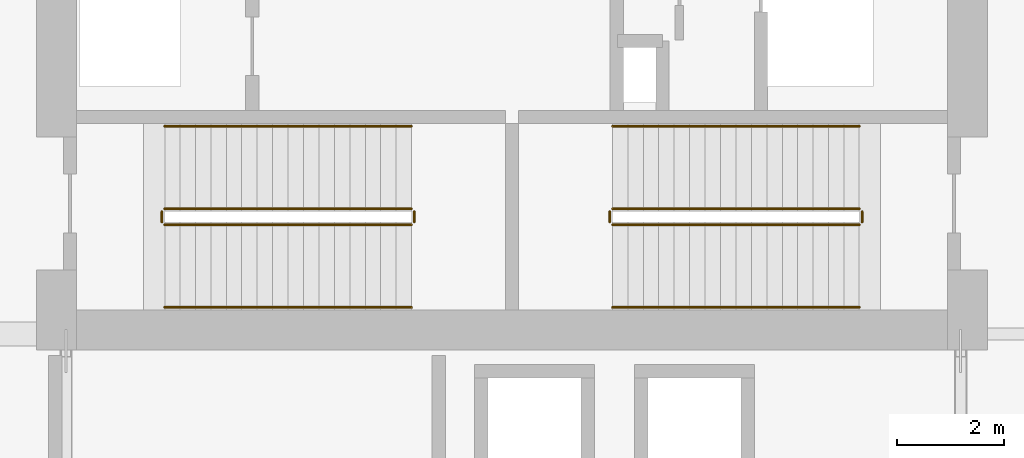
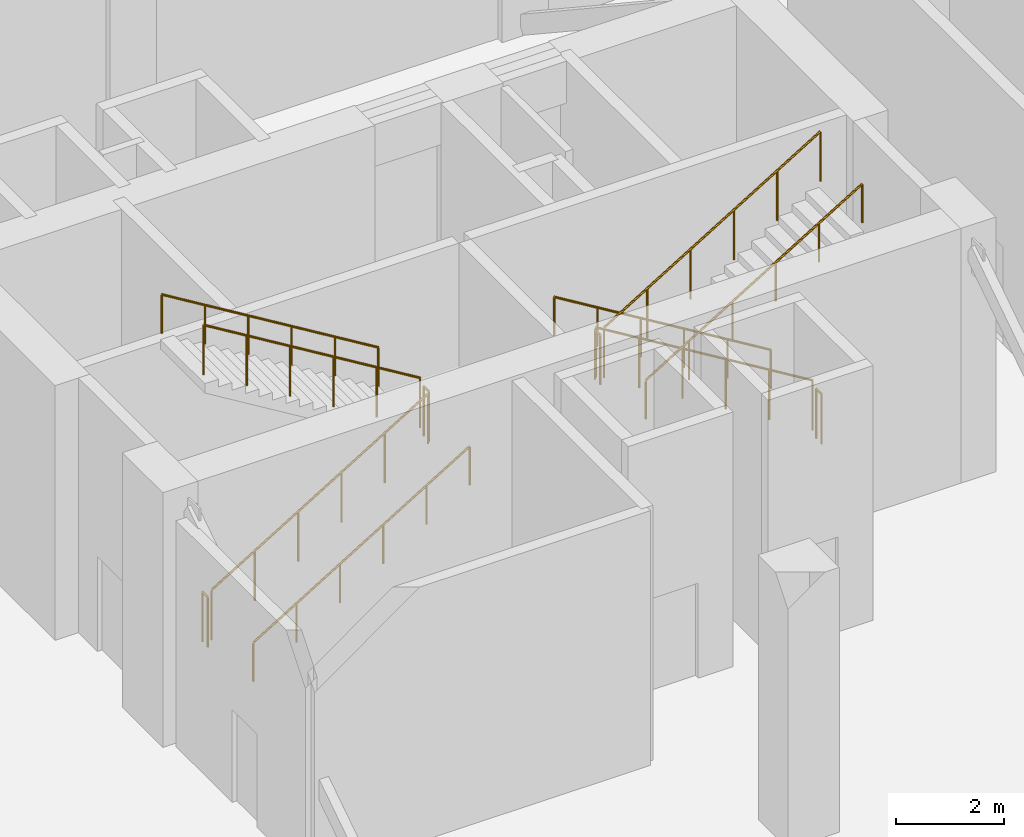
# One storey, part 15 of 16: 12 railings.
"""IFC4 building model written with IfcOpenShell, lengths in metres."""

from ifc_helpers import new_model, si_unit, direction, frame, origin, origin_2d, place, context, subcontext, project, spatial, circle, extrude, material, type_object, element, save


model = new_model("IFC4")

# Units and contexts
model_context = context("Model", 3, precision=1e-05, world=origin(), true_north=direction((0.0, 1.0)))
body_context = subcontext(model_context, "Body", "Model", "MODEL_VIEW")
ifc_project = project(units=[si_unit("LENGTHUNIT", "METRE"), si_unit("AREAUNIT", "SQUARE_METRE"), si_unit("VOLUMEUNIT", "CUBIC_METRE"), si_unit("PLANEANGLEUNIT", "RADIAN"), si_unit("MASSUNIT", "GRAM", prefix="KILO")], contexts=[model_context])

# Site, building, storey
site_placement = place(None, origin())
site = spatial("IfcSite", under=ifc_project, at=site_placement, CompositionType="ELEMENT")
building_placement = place(site_placement, origin())
building = spatial("IfcBuilding", under=site, at=building_placement, Name="Koriwani Terraces Tower", CompositionType="ELEMENT")
storey_placement = place(building_placement, frame((0.0, 0.0, 162.0)))
storey = spatial("IfcBuildingStorey", under=building, at=storey_placement, Name="L39", CompositionType="ELEMENT", Elevation=162.0)

# Railings
ifc_material = material(Name="Steel ASTM A572 Grade 50", Category="steel")
railing_type_1 = type_object("IfcRailingType", Name="GUARD_STAIR_WELL_1120", PredefinedType="GUARDRAIL", material=ifc_material)
railing_1_placement = place(storey_placement, frame((43.85009765625, 18.85009765625, 0.176513671875)))
element("IfcRailing", 1, at=railing_1_placement, inside=storey, type_object=railing_type_1, Name="L39 ST-E1 stair guard 1", PredefinedType="GUARDRAIL", context=body_context, shape_type="SweptSolid", body=[
    extrude(circle(Radius=0.02392578125, at=origin_2d()), frame((0.0, 0.0, 1.1259765625), z_axis=(0.854263648073, 0.0, 0.51983999421), x_axis=(0.0, 1.0, 0.0)), (0.0, 0.0, 1.0), 5.431396484375),
    extrude(circle(Radius=0.02099609375, at=origin_2d()), origin(), (0.0, 0.0, 1.0), 1.101806640625),
    extrude(circle(Radius=0.02099609375, at=origin_2d()), frame((0.927978515625, 0.0, 0.564697265625)), (0.0, 0.0, 1.0), 1.101806640625),
    extrude(circle(Radius=0.02099609375, at=origin_2d()), frame((1.85595703125, 0.0, 1.12939453125)), (0.0, 0.0, 1.0), 1.101806640625),
    extrude(circle(Radius=0.02099609375, at=origin_2d()), frame((2.783935546875, 0.0, 1.694091796875)), (0.0, 0.0, 1.0), 1.101806640625),
    extrude(circle(Radius=0.02099609375, at=origin_2d()), frame((3.7119140625, 0.0, 2.2587890625)), (0.0, 0.0, 1.0), 1.101806640625),
    extrude(circle(Radius=0.02099609375, at=origin_2d()), frame((4.639892578125, 0.0, 2.823486328125)), (0.0, 0.0, 1.0), 1.101806640625),
])
railing_2_placement = place(storey_placement, frame((48.5400390625, 18.89990234375, 3.0)))
element("IfcRailing", 2, at=railing_2_placement, inside=storey, type_object=railing_type_1, Name="L39 ST-E1 stair guard 2", PredefinedType="GUARDRAIL", context=body_context, shape_type="SweptSolid", body=[
    extrude(circle(Radius=0.02392578125, at=origin_2d()), frame((0.0, 0.0, 1.1259765625), z_axis=(0.0, 1.0, 0.0), x_axis=(-1.0, 0.0, 0.0)), (0.0, 0.0, 1.0), 0.2001953125),
    extrude(circle(Radius=0.02099609375, at=origin_2d()), origin(), (0.0, 0.0, 1.0), 1.101806640625),
    extrude(circle(Radius=0.02099609375, at=origin_2d()), frame((0.0, 0.2001953125, 0.0)), (0.0, 0.0, 1.0), 1.101806640625),
])
railing_3_placement = place(storey_placement, frame((48.489990234375, 19.14990234375, 3.176513671875)))
element("IfcRailing", 3, at=railing_3_placement, inside=storey, type_object=railing_type_1, Name="L39 ST-E1 stair guard 3", PredefinedType="GUARDRAIL", context=body_context, shape_type="SweptSolid", body=[
    extrude(circle(Radius=0.02392578125, at=origin_2d()), frame((0.0, 0.0, 1.1259765625), z_axis=(-0.854263648073, 0.0, 0.51983999421), x_axis=(0.0, -1.0, 0.0)), (0.0, 0.0, 1.0), 5.431396484375),
    extrude(circle(Radius=0.02099609375, at=origin_2d()), origin(), (0.0, 0.0, 1.0), 1.101806640625),
    extrude(circle(Radius=0.02099609375, at=origin_2d()), frame((-0.927978515625, 0.0, 0.564697265625)), (0.0, 0.0, 1.0), 1.101806640625),
    extrude(circle(Radius=0.02099609375, at=origin_2d()), frame((-1.85595703125, 0.0, 1.12939453125)), (0.0, 0.0, 1.0), 1.101806640625),
    extrude(circle(Radius=0.02099609375, at=origin_2d()), frame((-2.783935546875, 0.0, 1.694091796875)), (0.0, 0.0, 1.0), 1.101806640625),
    extrude(circle(Radius=0.02099609375, at=origin_2d()), frame((-3.7119140625, 0.0, 2.2587890625)), (0.0, 0.0, 1.0), 1.101806640625),
    extrude(circle(Radius=0.02099609375, at=origin_2d()), frame((-4.639892578125, 0.0, 2.823486328125)), (0.0, 0.0, 1.0), 1.101806640625),
])
railing_4_placement = place(storey_placement, frame((43.800048828125, 18.89990234375, 0.0)))
element("IfcRailing", 4, at=railing_4_placement, inside=storey, type_object=railing_type_1, Name="L39 ST-E1 stair guard 4", PredefinedType="GUARDRAIL", context=body_context, shape_type="SweptSolid", body=[
    extrude(circle(Radius=0.02392578125, at=origin_2d()), frame((0.0, 0.0, 1.1259765625), z_axis=(0.0, 1.0, 0.0), x_axis=(-1.0, 0.0, 0.0)), (0.0, 0.0, 1.0), 0.2001953125),
    extrude(circle(Radius=0.02099609375, at=origin_2d()), origin(), (0.0, 0.0, 1.0), 1.101806640625),
    extrude(circle(Radius=0.02099609375, at=origin_2d()), frame((0.0, 0.2001953125, 0.0)), (0.0, 0.0, 1.0), 1.101806640625),
])
railing_5_placement = place(storey_placement, frame((56.89990234375, 19.14990234375, 0.176513671875)))
element("IfcRailing", 5, at=railing_5_placement, inside=storey, type_object=railing_type_1, Name="L39 ST-E2 stair guard 1", PredefinedType="GUARDRAIL", context=body_context, shape_type="SweptSolid", body=[
    extrude(circle(Radius=0.02392578125, at=origin_2d()), frame((0.0, 0.0, 1.1259765625), z_axis=(-0.854263648073, 0.0, 0.51983999421), x_axis=(0.0, -1.0, 0.0)), (0.0, 0.0, 1.0), 5.431396484375),
    extrude(circle(Radius=0.02099609375, at=origin_2d()), origin(), (0.0, 0.0, 1.0), 1.101806640625),
    extrude(circle(Radius=0.02099609375, at=origin_2d()), frame((-0.927978515625, 0.0, 0.564697265625)), (0.0, 0.0, 1.0), 1.101806640625),
    extrude(circle(Radius=0.02099609375, at=origin_2d()), frame((-1.85595703125, 0.0, 1.12939453125)), (0.0, 0.0, 1.0), 1.101806640625),
    extrude(circle(Radius=0.02099609375, at=origin_2d()), frame((-2.783935546875, 0.0, 1.694091796875)), (0.0, 0.0, 1.0), 1.101806640625),
    extrude(circle(Radius=0.02099609375, at=origin_2d()), frame((-3.7119140625, 0.0, 2.2587890625)), (0.0, 0.0, 1.0), 1.101806640625),
    extrude(circle(Radius=0.02099609375, at=origin_2d()), frame((-4.639892578125, 0.0, 2.823486328125)), (0.0, 0.0, 1.0), 1.101806640625),
])
railing_6_placement = place(storey_placement, frame((52.2099609375, 19.10009765625, 3.0)))
element("IfcRailing", 6, at=railing_6_placement, inside=storey, type_object=railing_type_1, Name="L39 ST-E2 stair guard 2", PredefinedType="GUARDRAIL", context=body_context, shape_type="SweptSolid", body=[
    extrude(circle(Radius=0.02392578125, at=origin_2d()), frame((0.0, 0.0, 1.1259765625), z_axis=(0.0, -1.0, 0.0), x_axis=(1.0, 0.0, 0.0)), (0.0, 0.0, 1.0), 0.2001953125),
    extrude(circle(Radius=0.02099609375, at=origin_2d()), origin(), (0.0, 0.0, 1.0), 1.101806640625),
    extrude(circle(Radius=0.02099609375, at=origin_2d()), frame((0.0, -0.2001953125, 0.0)), (0.0, 0.0, 1.0), 1.101806640625),
])
railing_7_placement = place(storey_placement, frame((52.260009765625, 18.85009765625, 3.176513671875)))
element("IfcRailing", 7, at=railing_7_placement, inside=storey, type_object=railing_type_1, Name="L39 ST-E2 stair guard 3", PredefinedType="GUARDRAIL", context=body_context, shape_type="SweptSolid", body=[
    extrude(circle(Radius=0.02392578125, at=origin_2d()), frame((0.0, 0.0, 1.1259765625), z_axis=(0.854263648073, 0.0, 0.51983999421), x_axis=(0.0, 1.0, 0.0)), (0.0, 0.0, 1.0), 5.431396484375),
    extrude(circle(Radius=0.02099609375, at=origin_2d()), origin(), (0.0, 0.0, 1.0), 1.101806640625),
    extrude(circle(Radius=0.02099609375, at=origin_2d()), frame((0.927978515625, 0.0, 0.564697265625)), (0.0, 0.0, 1.0), 1.101806640625),
    extrude(circle(Radius=0.02099609375, at=origin_2d()), frame((1.85595703125, 0.0, 1.12939453125)), (0.0, 0.0, 1.0), 1.101806640625),
    extrude(circle(Radius=0.02099609375, at=origin_2d()), frame((2.783935546875, 0.0, 1.694091796875)), (0.0, 0.0, 1.0), 1.101806640625),
    extrude(circle(Radius=0.02099609375, at=origin_2d()), frame((3.7119140625, 0.0, 2.2587890625)), (0.0, 0.0, 1.0), 1.101806640625),
    extrude(circle(Radius=0.02099609375, at=origin_2d()), frame((4.639892578125, 0.0, 2.823486328125)), (0.0, 0.0, 1.0), 1.101806640625),
])
railing_8_placement = place(storey_placement, frame((56.949951171875, 19.10009765625, 0.0)))
element("IfcRailing", 8, at=railing_8_placement, inside=storey, type_object=railing_type_1, Name="L39 ST-E2 stair guard 4", PredefinedType="GUARDRAIL", context=body_context, shape_type="SweptSolid", body=[
    extrude(circle(Radius=0.02392578125, at=origin_2d()), frame((0.0, 0.0, 1.1259765625), z_axis=(0.0, -1.0, 0.0), x_axis=(1.0, 0.0, 0.0)), (0.0, 0.0, 1.0), 0.2001953125),
    extrude(circle(Radius=0.02099609375, at=origin_2d()), origin(), (0.0, 0.0, 1.0), 1.101806640625),
    extrude(circle(Radius=0.02099609375, at=origin_2d()), frame((0.0, -0.2001953125, 0.0)), (0.0, 0.0, 1.0), 1.101806640625),
])
railing_type_2 = type_object("IfcRailingType", Name="HANDRAIL_STAIR_920", PredefinedType="HANDRAIL", material=ifc_material)
railing_9_placement = place(storey_placement, frame((43.85009765625, 17.300048828125, 0.176513671875)))
element("IfcRailing", 9, at=railing_9_placement, inside=storey, type_object=railing_type_2, Name="L39 ST-E1 stair handrail 1", PredefinedType="HANDRAIL", context=body_context, shape_type="SweptSolid", body=[
    extrude(circle(Radius=0.02392578125, at=origin_2d()), frame((0.0, 0.0, 0.8759765625), z_axis=(0.854263648073, 0.0, 0.51983999421), x_axis=(0.0, 1.0, 0.0)), (0.0, 0.0, 1.0), 5.431396484375),
    extrude(circle(Radius=0.02099609375, at=origin_2d()), origin(), (0.0, 0.0, 1.0), 0.851806640625),
    extrude(circle(Radius=0.02099609375, at=origin_2d()), frame((0.927978515625, 0.0, 0.564697265625)), (0.0, 0.0, 1.0), 0.851806640625),
    extrude(circle(Radius=0.02099609375, at=origin_2d()), frame((1.85595703125, 0.0, 1.12939453125)), (0.0, 0.0, 1.0), 0.851806640625),
    extrude(circle(Radius=0.02099609375, at=origin_2d()), frame((2.783935546875, 0.0, 1.694091796875)), (0.0, 0.0, 1.0), 0.851806640625),
    extrude(circle(Radius=0.02099609375, at=origin_2d()), frame((3.7119140625, 0.0, 2.2587890625)), (0.0, 0.0, 1.0), 0.851806640625),
    extrude(circle(Radius=0.02099609375, at=origin_2d()), frame((4.639892578125, 0.0, 2.823486328125)), (0.0, 0.0, 1.0), 0.851806640625),
])
for number, where, name in (
    (10, (48.489990234375, 20.699951171875, 3.176513671875), "L39 ST-E1 stair handrail 2"),
    (11, (56.89990234375, 20.699951171875, 0.176513671875), "L39 ST-E2 stair handrail 1"),
):
    element("IfcRailing", number, at=place(storey_placement, frame(where)), inside=storey, type_object=railing_type_2, Name=name, PredefinedType="HANDRAIL", context=body_context, shape_type="SweptSolid", body=[
        extrude(circle(Radius=0.02392578125, at=origin_2d()), frame((0.0, 0.0, 0.8759765625), z_axis=(-0.854263648073, 0.0, 0.51983999421), x_axis=(0.0, -1.0, 0.0)), (0.0, 0.0, 1.0), 5.431396484375),
        extrude(circle(Radius=0.02099609375, at=origin_2d()), origin(), (0.0, 0.0, 1.0), 0.851806640625),
        extrude(circle(Radius=0.02099609375, at=origin_2d()), frame((-0.927978515625, 0.0, 0.564697265625)), (0.0, 0.0, 1.0), 0.851806640625),
        extrude(circle(Radius=0.02099609375, at=origin_2d()), frame((-1.85595703125, 0.0, 1.12939453125)), (0.0, 0.0, 1.0), 0.851806640625),
        extrude(circle(Radius=0.02099609375, at=origin_2d()), frame((-2.783935546875, 0.0, 1.694091796875)), (0.0, 0.0, 1.0), 0.851806640625),
        extrude(circle(Radius=0.02099609375, at=origin_2d()), frame((-3.7119140625, 0.0, 2.2587890625)), (0.0, 0.0, 1.0), 0.851806640625),
        extrude(circle(Radius=0.02099609375, at=origin_2d()), frame((-4.639892578125, 0.0, 2.823486328125)), (0.0, 0.0, 1.0), 0.851806640625),
    ])
railing_10_placement = place(storey_placement, frame((52.260009765625, 17.300048828125, 3.176513671875)))
element("IfcRailing", 12, at=railing_10_placement, inside=storey, type_object=railing_type_2, Name="L39 ST-E2 stair handrail 2", PredefinedType="HANDRAIL", context=body_context, shape_type="SweptSolid", body=[
    extrude(circle(Radius=0.02392578125, at=origin_2d()), frame((0.0, 0.0, 0.8759765625), z_axis=(0.854263648073, 0.0, 0.51983999421), x_axis=(0.0, 1.0, 0.0)), (0.0, 0.0, 1.0), 5.431396484375),
    extrude(circle(Radius=0.02099609375, at=origin_2d()), origin(), (0.0, 0.0, 1.0), 0.851806640625),
    extrude(circle(Radius=0.02099609375, at=origin_2d()), frame((0.927978515625, 0.0, 0.564697265625)), (0.0, 0.0, 1.0), 0.851806640625),
    extrude(circle(Radius=0.02099609375, at=origin_2d()), frame((1.85595703125, 0.0, 1.12939453125)), (0.0, 0.0, 1.0), 0.851806640625),
    extrude(circle(Radius=0.02099609375, at=origin_2d()), frame((2.783935546875, 0.0, 1.694091796875)), (0.0, 0.0, 1.0), 0.851806640625),
    extrude(circle(Radius=0.02099609375, at=origin_2d()), frame((3.7119140625, 0.0, 2.2587890625)), (0.0, 0.0, 1.0), 0.851806640625),
    extrude(circle(Radius=0.02099609375, at=origin_2d()), frame((4.639892578125, 0.0, 2.823486328125)), (0.0, 0.0, 1.0), 0.851806640625),
])

save(model, "model.ifc")
